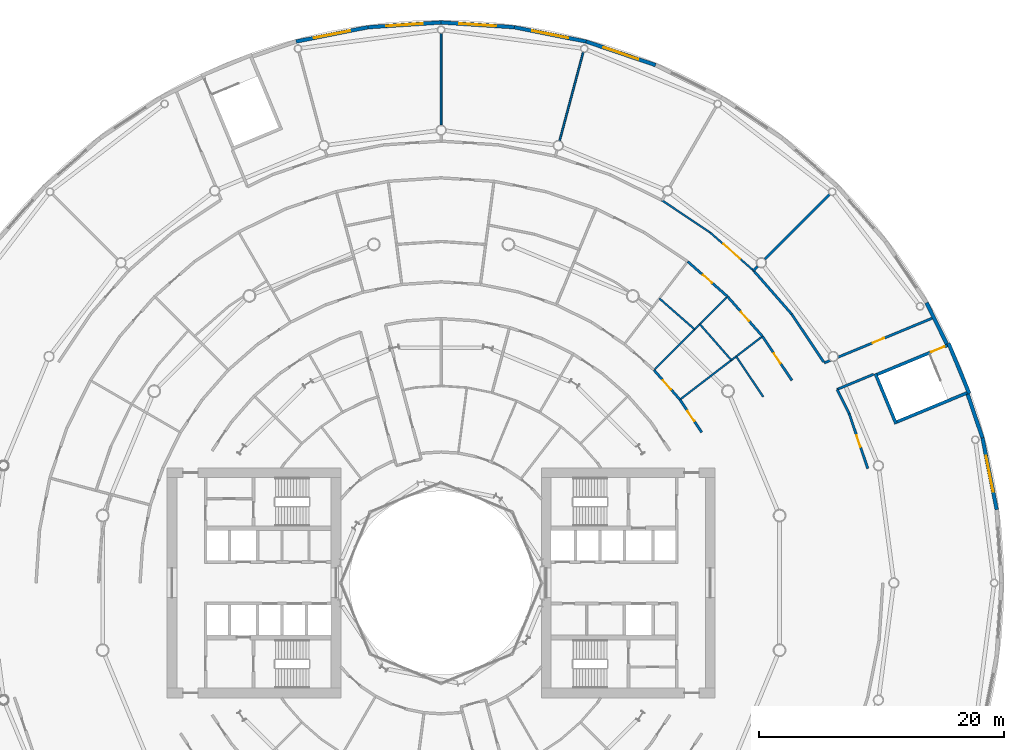
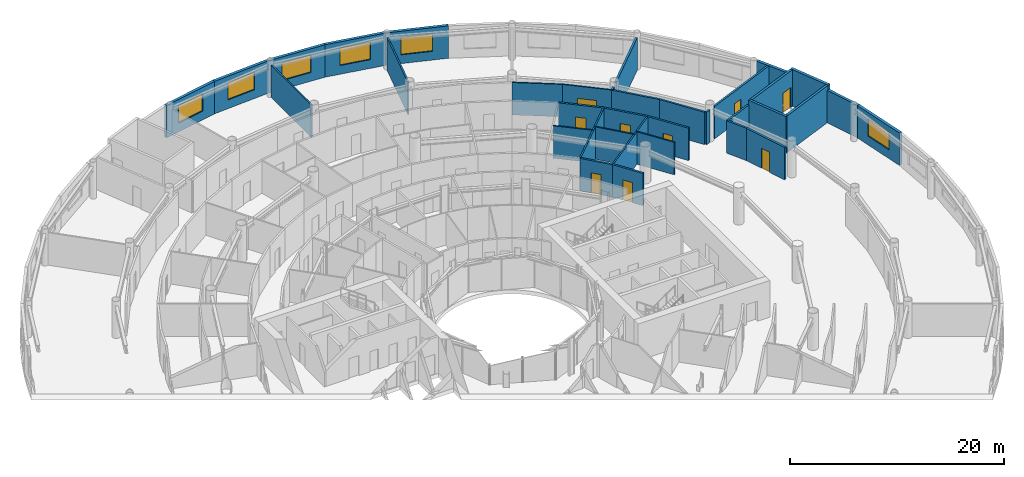
# One storey, part 23 of 29: 35 walls, 9 doors, 6 windows, 15 openings.
"""IFC4 building model written with IfcOpenShell, lengths in metres."""

from ifc_helpers import new_model, si_unit, direction, frame, frame_2d, origin, place, context, subcontext, project, spatial, rectangle, extrude, material, layer, layer_set, type_object, element, fill, save


model = new_model("IFC4")

# Units and contexts
model_context = context("Model", 3, precision=1e-05, world=origin(), true_north=direction((0.0, 1.0)))
body_context = subcontext(model_context, "Body", "Model", "MODEL_VIEW")
ifc_project = project(units=[si_unit("LENGTHUNIT", "METRE"), si_unit("AREAUNIT", "SQUARE_METRE"), si_unit("VOLUMEUNIT", "CUBIC_METRE"), si_unit("PLANEANGLEUNIT", "RADIAN"), si_unit("MASSUNIT", "GRAM", prefix="KILO")], contexts=[model_context])

# Site, building, storey
site_placement = place(None, origin())
site = spatial("IfcSite", under=ifc_project, at=site_placement, CompositionType="ELEMENT")
building_placement = place(site_placement, origin())
building = spatial("IfcBuilding", under=site, at=building_placement, Name="Maasbend Ring Residences", CompositionType="ELEMENT")
storey_placement = place(building_placement, frame((0.0, 0.0, 5.39990234375)))
storey = spatial("IfcBuildingStorey", under=building, at=storey_placement, Name="L01", CompositionType="ELEMENT", Elevation=5.39990234375)

# Wall, opening, door
ifc_material_1 = material(Name="Concrete C70/85", Category="concrete")
ifc_layer_1 = layer(ifc_material_1, 0.25)
ifc_layer_set_1 = layer_set([ifc_layer_1], Name="Concrete C70/85")
wall_type_1 = type_object("IfcWallType", Name="CORE WALL 250 C70/85", PredefinedType="SHEAR", material=ifc_layer_set_1)
wall_1_placement = place(storey_placement, frame((41.37158203125, 19.40966796875, 0.0), z_axis=(0.0, 0.0, 1.0), x_axis=(-0.923886743203, -0.382666023753, 0.0)))
wall_1 = element("IfcWall", 1, at=wall_1_placement, inside=storey, type_object=wall_type_1, Name="L01 ST-P5 enclosure wall WS+", PredefinedType="SHEAR", context=body_context, shape_type="SweptSolid", body=[
    extrude(rectangle(XDim=6.4501953125, YDim=0.25, at=frame_2d((3.22509765625, 0.0))), origin(), (0.0, 0.0, 1.0), 4.2001953125),
])
opening_1_placement = place(wall_1_placement, frame((0.25, 0.0, 0.0)))
opening_1 = element("IfcOpeningElement", 2, at=opening_1_placement, cuts=wall_1, Name="Opening D-P501S", PredefinedType="OPENING", context=body_context, shape_type="SweptSolid", body=[
    extrude(rectangle(XDim=1.199951171875, YDim=2.300048828125, at=frame_2d((0.60009765625, 1.14990234375))), frame((0.0, 0.135009765625, 0.0), z_axis=(0.0, -1.0, 0.0), x_axis=(1.0, 0.0, 0.0)), (0.0, 0.0, 1.0), 0.27001953125),
])
ifc_material_2 = material(Name="Steel, powder coated", Category="steel")
door_type_1 = type_object("IfcDoorType", Name="STAIR DOOR 1200 X 2300 FD60", OperationType="NOTDEFINED", PredefinedType="DOOR", material=ifc_material_2)
door_1_placement = place(opening_1_placement, origin())
door_1 = element("IfcDoor", 3, at=door_1_placement, inside=storey, type_object=door_type_1, Name="Stair door ST-P5 L01", OperationType="SINGLE_SWING_RIGHT", OverallHeight=2.300048828125, OverallWidth=1.199951171875, PredefinedType="DOOR", context=body_context, shape_type="SweptSolid", body=[
    extrude(rectangle(XDim=1.199951171875, YDim=2.300048828125, at=frame_2d((0.60009765625, 1.14990234375))), frame((0.0, 0.02490234375, 0.0), z_axis=(0.0, -1.0, 0.0), x_axis=(1.0, 0.0, 0.0)), (0.0, 0.0, 1.0), 0.050048828125),
])
fill(opening_1, door_1)

# Walls
wall_2_placement = place(storey_placement, frame((37.019775390625, 13.06103515625, 0.0), z_axis=(0.0, 0.0, 1.0), x_axis=(0.923881200375, 0.38267940576, 0.0)))
element("IfcWall", 4, at=wall_2_placement, inside=storey, type_object=wall_type_1, Name="L01 ST-P5 enclosure wall WS-", PredefinedType="SHEAR", context=body_context, shape_type="SweptSolid", body=[
    extrude(rectangle(XDim=6.449951171875, YDim=0.25, at=frame_2d((3.22509765625, 0.0))), origin(), (0.0, 0.0, 1.0), 4.2001953125),
])
wall_3_placement = place(storey_placement, frame((37.18310546875, 12.993408203125, 0.0), z_axis=(0.0, 0.0, 1.0), x_axis=(-0.382713570591, 0.923867048273, 0.0)))
element("IfcWall", 5, at=wall_3_placement, inside=storey, type_object=wall_type_1, Name="L01 ST-P5 enclosure wall WIN", PredefinedType="SHEAR", context=body_context, shape_type="SweptSolid", body=[
    extrude(rectangle(XDim=4.4501953125, YDim=0.25, at=frame_2d((2.22509765625, 0.0))), origin(), (0.0, 0.0, 1.0), 4.2001953125),
])
ifc_material_3 = material(Name="Concrete C70/85", Category="concrete")
ifc_layer_2 = layer(ifc_material_3, 0.300048828125)
ifc_layer_set_2 = layer_set([ifc_layer_2], Name="Concrete C70/85")
wall_type_2 = type_object("IfcWallType", Name="CORE WALL 300 C70/85", PredefinedType="SHEAR", material=ifc_layer_set_2)
wall_4_placement = place(storey_placement, frame((43.1650390625, 15.47119140625, 0.0), z_axis=(0.0, 0.0, 1.0), x_axis=(-0.382666743194, 0.923886445216, 0.0)))
element("IfcWall", 6, at=wall_4_placement, inside=storey, type_object=wall_type_2, Name="L01 ST-P5 enclosure wall WOUT", PredefinedType="SHEAR", context=body_context, shape_type="SweptSolid", body=[
    extrude(rectangle(XDim=4.449951171875, YDim=0.300048828125, at=frame_2d((2.22509765625, 0.0))), origin(), (0.0, 0.0, 1.0), 4.2001953125),
])
ifc_material_4 = material(Name="Concrete C30/37", Category="concrete")
ifc_layer_3 = layer(ifc_material_4, 0.199951171875)
ifc_layer_set_3 = layer_set([ifc_layer_3], Name="Concrete C30/37")
wall_type_3 = type_object("IfcWallType", Name="CORRIDOR WALL 200 CONCRETE", PredefinedType="PARTITIONING", material=ifc_layer_set_3)
wall_5_placement = place(storey_placement, frame((25.527099609375, 25.527099609375, 0.0), z_axis=(0.0, 0.0, 1.0), x_axis=(0.707106781187, 0.707106781187, 0.0)))
element("IfcWall", 7, at=wall_5_placement, inside=storey, type_object=wall_type_3, Name="U-L01-w181", PredefinedType="PARTITIONING", context=body_context, shape_type="SweptSolid", body=[
    extrude(rectangle(XDim=0.493408203125, YDim=0.199951171875, at=frame_2d((0.24658203125, 0.0))), origin(), (0.0, 0.0, 1.0), 3.7001953125),
])
wall_6_placement = place(storey_placement, frame((26.449951171875, 26.449951171875, 0.0), z_axis=(0.0, 0.0, 1.0), x_axis=(0.707106781187, 0.707106781187, 0.0)))
element("IfcWall", 8, at=wall_6_placement, inside=storey, type_object=wall_type_3, Name="U-L01-w182", PredefinedType="PARTITIONING", context=body_context, shape_type="SweptSolid", body=[
    extrude(rectangle(XDim=7.489990234375, YDim=0.199951171875, at=frame_2d((3.7451171875, 0.0))), origin(), (0.0, 0.0, 1.0), 3.7001953125),
])
wall_7_placement = place(storey_placement, frame((32.365966796875, 15.81494140625, 0.0), z_axis=(0.0, 0.0, 1.0), x_axis=(0.923903368196, 0.382625882863, 0.0)))
element("IfcWall", 9, at=wall_7_placement, inside=storey, type_object=wall_type_3, Name="U-L01-w190", PredefinedType="PARTITIONING", context=body_context, shape_type="SweptSolid", body=[
    extrude(rectangle(XDim=3.225341796875, YDim=0.199951171875, at=frame_2d((1.61279296875, 0.0))), origin(), (0.0, 0.0, 1.0), 3.7001953125),
])
wall_8_placement = place(storey_placement, frame((31.302001953125, 17.971923828125, 0.0), z_axis=(0.0, 0.0, 1.0), x_axis=(0.92381964374, 0.382827984663, 0.0)))
element("IfcWall", 10, at=wall_8_placement, inside=storey, type_object=wall_type_3, Name="U-L01-w191", PredefinedType="PARTITIONING", context=body_context, shape_type="SweptSolid", body=[
    extrude(rectangle(XDim=0.54345703125, YDim=0.199951171875, at=frame_2d((0.271728515625, 0.0))), origin(), (0.0, 0.0, 1.0), 3.7001953125),
])

# Wall, opening, door
wall_9_placement = place(storey_placement, frame((32.43798828125, 18.44189453125, 0.0), z_axis=(0.0, 0.0, 1.0), x_axis=(0.923898828098, 0.382636845375, 0.0)))
wall_9 = element("IfcWall", 11, at=wall_9_placement, inside=storey, type_object=wall_type_3, Name="U-L01-w192", PredefinedType="PARTITIONING", context=body_context, shape_type="SweptSolid", body=[
    extrude(rectangle(XDim=8.37109375, YDim=0.199951171875, at=frame_2d((4.185546875, 0.0))), origin(), (0.0, 0.0, 1.0), 3.7001953125),
])
opening_2_placement = place(wall_9_placement, frame((3.071044921875, 0.0, 0.0)))
opening_2 = element("IfcOpeningElement", 12, at=opening_2_placement, cuts=wall_9, Name="Opening D-0171", PredefinedType="OPENING", context=body_context, shape_type="SweptSolid", body=[
    extrude(rectangle(XDim=1.0, YDim=2.300048828125, at=frame_2d((0.5, 1.14990234375))), frame((0.0, 0.10986328125, 0.0), z_axis=(0.0, -1.0, 0.0), x_axis=(1.0, 0.0, 0.0)), (0.0, 0.0, 1.0), 0.219970703125),
])
ifc_material_5 = material(Name="Timber, painted", Category="wood")
door_type_2 = type_object("IfcDoorType", Name="ROOM DOOR 1000 X 2300", OperationType="NOTDEFINED", PredefinedType="DOOR", material=ifc_material_5)
door_2_placement = place(opening_2_placement, origin())
door_2 = element("IfcDoor", 13, at=door_2_placement, inside=storey, type_object=door_type_2, Name="D-0171", OperationType="SINGLE_SWING_LEFT", OverallHeight=2.300048828125, OverallWidth=1.0, PredefinedType="DOOR", context=body_context, shape_type="SweptSolid", body=[
    extrude(rectangle(XDim=1.0, YDim=2.300048828125, at=frame_2d((0.5, 1.14990234375))), frame((0.0, 0.02490234375, 0.0), z_axis=(0.0, -1.0, 0.0), x_axis=(1.0, 0.0, 0.0)), (0.0, 0.0, 1.0), 0.050048828125),
])
fill(opening_2, door_2)

wall_10_placement = place(storey_placement, frame((17.39501953125, 17.39501953125, 0.0), z_axis=(0.0, 0.0, 1.0), x_axis=(0.659299366608, -0.751880539175, 0.0)))
wall_10 = element("IfcWall", 14, at=wall_10_placement, inside=storey, type_object=wall_type_3, Name="U-L01-w258", PredefinedType="PARTITIONING", context=body_context, shape_type="SweptSolid", body=[
    extrude(rectangle(XDim=3.21728515625, YDim=0.199951171875, at=frame_2d((1.608642578125, 0.0))), origin(), (0.0, 0.0, 1.0), 3.7001953125),
])
opening_3_placement = place(wall_10_placement, frame((1.10888671875, 0.0, 0.0)))
opening_3 = element("IfcOpeningElement", 15, at=opening_3_placement, cuts=wall_10, Name="Opening D-0132", PredefinedType="OPENING", context=body_context, shape_type="SweptSolid", body=[
    extrude(rectangle(XDim=1.0, YDim=2.300048828125, at=frame_2d((0.5, 1.14990234375))), frame((0.0, 0.10986328125, 0.0), z_axis=(0.0, -1.0, 0.0), x_axis=(1.0, 0.0, 0.0)), (0.0, 0.0, 1.0), 0.219970703125),
])
door_3_placement = place(opening_3_placement, origin())
door_3 = element("IfcDoor", 16, at=door_3_placement, inside=storey, type_object=door_type_2, Name="D-0132", OperationType="SINGLE_SWING_LEFT", OverallHeight=2.300048828125, OverallWidth=1.0, PredefinedType="DOOR", context=body_context, shape_type="SweptSolid", body=[
    extrude(rectangle(XDim=1.0, YDim=2.300048828125, at=frame_2d((0.5, 1.14990234375))), frame((0.0, 0.02490234375, 0.0), z_axis=(0.0, -1.0, 0.0), x_axis=(1.0, 0.0, 0.0)), (0.0, 0.0, 1.0), 0.050048828125),
])
fill(opening_3, door_3)

wall_11_placement = place(storey_placement, frame((19.51611328125, 14.97607421875, 0.0), z_axis=(0.0, 0.0, 1.0), x_axis=(0.555522714148, -0.831501361433, 0.0)))
wall_11 = element("IfcWall", 17, at=wall_11_placement, inside=storey, type_object=wall_type_3, Name="U-L01-w259", PredefinedType="PARTITIONING", context=body_context, shape_type="SweptSolid", body=[
    extrude(rectangle(XDim=3.21826171875, YDim=0.199951171875, at=frame_2d((1.609130859375, 0.0))), origin(), (0.0, 0.0, 1.0), 3.7001953125),
])
opening_4_placement = place(wall_11_placement, frame((1.10888671875, 0.0, 0.0)))
opening_4 = element("IfcOpeningElement", 18, at=opening_4_placement, cuts=wall_11, Name="Opening D-0130", PredefinedType="OPENING", context=body_context, shape_type="SweptSolid", body=[
    extrude(rectangle(XDim=1.0, YDim=2.300048828125, at=frame_2d((0.5, 1.14990234375))), frame((0.0, 0.10986328125, 0.0), z_axis=(0.0, -1.0, 0.0), x_axis=(1.0, 0.0, 0.0)), (0.0, 0.0, 1.0), 0.219970703125),
])
door_4_placement = place(opening_4_placement, origin())
door_4 = element("IfcDoor", 19, at=door_4_placement, inside=storey, type_object=door_type_2, Name="D-0130", OperationType="SINGLE_SWING_RIGHT", OverallHeight=2.300048828125, OverallWidth=1.0, PredefinedType="DOOR", context=body_context, shape_type="SweptSolid", body=[
    extrude(rectangle(XDim=1.0, YDim=2.300048828125, at=frame_2d((0.5, 1.14990234375))), frame((0.0, 0.02490234375, 0.0), z_axis=(0.0, -1.0, 0.0), x_axis=(1.0, 0.0, 0.0)), (0.0, 0.0, 1.0), 0.050048828125),
])
fill(opening_4, door_4)

wall_12_placement = place(storey_placement, frame((20.14990234375, 26.260009765625, 0.0), z_axis=(0.0, 0.0, 1.0), x_axis=(0.75180422834, -0.659386383125, 0.0)))
wall_12 = element("IfcWall", 20, at=wall_12_placement, inside=storey, type_object=wall_type_3, Name="U-L01-w300", PredefinedType="PARTITIONING", context=body_context, shape_type="SweptSolid", body=[
    extrude(rectangle(XDim=4.329833984375, YDim=0.199951171875, at=frame_2d((2.1650390625, 0.0))), origin(), (0.0, 0.0, 1.0), 3.7001953125),
])
opening_5_placement = place(wall_12_placement, frame((1.6650390625, 0.0, 0.0)))
opening_5 = element("IfcOpeningElement", 21, at=opening_5_placement, cuts=wall_12, Name="Opening D-0135", PredefinedType="OPENING", context=body_context, shape_type="SweptSolid", body=[
    extrude(rectangle(XDim=1.0, YDim=2.300048828125, at=frame_2d((0.5, 1.14990234375))), frame((0.0, 0.10986328125, 0.0), z_axis=(0.0, -1.0, 0.0), x_axis=(1.0, 0.0, 0.0)), (0.0, 0.0, 1.0), 0.219970703125),
])
door_5_placement = place(opening_5_placement, origin())
door_5 = element("IfcDoor", 22, at=door_5_placement, inside=storey, type_object=door_type_2, Name="D-0135", OperationType="SINGLE_SWING_LEFT", OverallHeight=2.300048828125, OverallWidth=1.0, PredefinedType="DOOR", context=body_context, shape_type="SweptSolid", body=[
    extrude(rectangle(XDim=1.0, YDim=2.300048828125, at=frame_2d((0.5, 1.14990234375))), frame((0.0, 0.02490234375, 0.0), z_axis=(0.0, -1.0, 0.0), x_axis=(1.0, 0.0, 0.0)), (0.0, 0.0, 1.0), 0.050048828125),
])
fill(opening_5, door_5)

wall_13_placement = place(storey_placement, frame((23.405029296875, 23.405029296875, 0.0), z_axis=(0.0, 0.0, 1.0), x_axis=(0.659386383125, -0.75180422834, 0.0)))
wall_13 = element("IfcWall", 23, at=wall_13_placement, inside=storey, type_object=wall_type_3, Name="U-L01-w301", PredefinedType="PARTITIONING", context=body_context, shape_type="SweptSolid", body=[
    extrude(rectangle(XDim=4.329833984375, YDim=0.199951171875, at=frame_2d((2.1650390625, 0.0))), origin(), (0.0, 0.0, 1.0), 3.7001953125),
])
opening_6_placement = place(wall_13_placement, frame((1.6650390625, 0.0, 0.0)))
opening_6 = element("IfcOpeningElement", 24, at=opening_6_placement, cuts=wall_13, Name="Opening D-0133", PredefinedType="OPENING", context=body_context, shape_type="SweptSolid", body=[
    extrude(rectangle(XDim=1.0, YDim=2.300048828125, at=frame_2d((0.5, 1.14990234375))), frame((0.0, 0.10986328125, 0.0), z_axis=(0.0, -1.0, 0.0), x_axis=(1.0, 0.0, 0.0)), (0.0, 0.0, 1.0), 0.219970703125),
])
door_6_placement = place(opening_6_placement, origin())
door_6 = element("IfcDoor", 25, at=door_6_placement, inside=storey, type_object=door_type_2, Name="D-0133", OperationType="SINGLE_SWING_LEFT", OverallHeight=2.300048828125, OverallWidth=1.0, PredefinedType="DOOR", context=body_context, shape_type="SweptSolid", body=[
    extrude(rectangle(XDim=1.0, YDim=2.300048828125, at=frame_2d((0.5, 1.14990234375))), frame((0.0, 0.02490234375, 0.0), z_axis=(0.0, -1.0, 0.0), x_axis=(1.0, 0.0, 0.0)), (0.0, 0.0, 1.0), 0.050048828125),
])
fill(opening_6, door_6)

wall_14_placement = place(storey_placement, frame((26.260009765625, 20.14990234375, 0.0), z_axis=(0.0, 0.0, 1.0), x_axis=(0.555519783102, -0.831503319646, 0.0)))
wall_14 = element("IfcWall", 26, at=wall_14_placement, inside=storey, type_object=wall_type_3, Name="U-L01-w302", PredefinedType="PARTITIONING", context=body_context, shape_type="SweptSolid", body=[
    extrude(rectangle(XDim=4.329345703125, YDim=0.199951171875, at=frame_2d((2.16455078125, 0.0))), origin(), (0.0, 0.0, 1.0), 3.7001953125),
])
opening_7_placement = place(wall_14_placement, frame((1.6650390625, 0.0, 0.0)))
opening_7 = element("IfcOpeningElement", 27, at=opening_7_placement, cuts=wall_14, Name="Opening D-0131", PredefinedType="OPENING", context=body_context, shape_type="SweptSolid", body=[
    extrude(rectangle(XDim=1.0, YDim=2.300048828125, at=frame_2d((0.5, 1.14990234375))), frame((0.0, 0.10986328125, 0.0), z_axis=(0.0, -1.0, 0.0), x_axis=(1.0, 0.0, 0.0)), (0.0, 0.0, 1.0), 0.219970703125),
])
door_7_placement = place(opening_7_placement, origin())
door_7 = element("IfcDoor", 28, at=door_7_placement, inside=storey, type_object=door_type_2, Name="D-0131", OperationType="SINGLE_SWING_RIGHT", OverallHeight=2.300048828125, OverallWidth=1.0, PredefinedType="DOOR", context=body_context, shape_type="SweptSolid", body=[
    extrude(rectangle(XDim=1.0, YDim=2.300048828125, at=frame_2d((0.5, 1.14990234375))), frame((0.0, 0.02490234375, 0.0), z_axis=(0.0, -1.0, 0.0), x_axis=(1.0, 0.0, 0.0)), (0.0, 0.0, 1.0), 0.050048828125),
])
fill(opening_7, door_7)

# Walls
for number, where, z_axis, x_axis, name in (
    (29, (25.527099609375, 25.527099609375, 0.0), (0.0, 0.0, 1.0), (0.659181480716, -0.751983893099, 0.0), "U-L01-w317"),
    (30, (28.639892578125, 21.97607421875, 0.0), (0.0, 0.0, 1.0), (0.555678147384, -0.831397496099, 0.0), "U-L01-w318"),
):
    element("IfcWall", number, at=place(storey_placement, frame(where, z_axis=z_axis, x_axis=x_axis)), inside=storey, type_object=wall_type_3, Name=name, PredefinedType="PARTITIONING", context=body_context, shape_type="SweptSolid", body=[
        extrude(rectangle(XDim=4.72216796875, YDim=0.199951171875, at=frame_2d((2.361083984375, 0.0))), origin(), (0.0, 0.0, 1.0), 3.7001953125),
    ])
wall_15_placement = place(storey_placement, frame((32.365966796875, 15.81494140625, 0.0), z_axis=(0.0, 0.0, 1.0), x_axis=(0.442214065645, -0.896909538441, 0.0)))
element("IfcWall", 31, at=wall_15_placement, inside=storey, type_object=wall_type_3, Name="U-L01-w319", PredefinedType="PARTITIONING", context=body_context, shape_type="SweptSolid", body=[
    extrude(rectangle(XDim=2.22998046875, YDim=0.199951171875, at=frame_2d((1.114990234375, 0.0))), origin(), (0.0, 0.0, 1.0), 3.7001953125),
])

# Wall, opening, door
wall_16_placement = place(storey_placement, frame((33.35205078125, 13.81494140625, 0.0), z_axis=(0.0, 0.0, 1.0), x_axis=(0.321449493775, -0.946926725229, 0.0)))
wall_16 = element("IfcWall", 32, at=wall_16_placement, inside=storey, type_object=wall_type_3, Name="U-L01-w320", PredefinedType="PARTITIONING", context=body_context, shape_type="SweptSolid", body=[
    extrude(rectangle(XDim=4.72265625, YDim=0.199951171875, at=frame_2d((2.361328125, 0.0))), origin(), (0.0, 0.0, 1.0), 3.7001953125),
])
opening_8_placement = place(wall_16_placement, frame((1.861083984375, 0.0, 0.0)))
opening_8 = element("IfcOpeningElement", 33, at=opening_8_placement, cuts=wall_16, Name="Opening D-0170", PredefinedType="OPENING", context=body_context, shape_type="SweptSolid", body=[
    extrude(rectangle(XDim=1.0, YDim=2.300048828125, at=frame_2d((0.5, 1.14990234375))), frame((0.0, 0.10986328125, 0.0), z_axis=(0.0, -1.0, 0.0), x_axis=(1.0, 0.0, 0.0)), (0.0, 0.0, 1.0), 0.219970703125),
])
door_8_placement = place(opening_8_placement, origin())
door_8 = element("IfcDoor", 34, at=door_8_placement, inside=storey, type_object=door_type_2, Name="D-0170", OperationType="SINGLE_SWING_RIGHT", OverallHeight=2.300048828125, OverallWidth=1.0, PredefinedType="DOOR", context=body_context, shape_type="SweptSolid", body=[
    extrude(rectangle(XDim=1.0, YDim=2.300048828125, at=frame_2d((0.5, 1.14990234375))), frame((0.0, 0.02490234375, 0.0), z_axis=(0.0, -1.0, 0.0), x_axis=(1.0, 0.0, 0.0)), (0.0, 0.0, 1.0), 0.050048828125),
])
fill(opening_8, door_8)

# Wall, opening, window
ifc_material_6 = material(Name="Pale anodised aluminium panel", Category="aluminium")
ifc_layer_4 = layer(ifc_material_6, 0.300048828125)
ifc_layer_set_4 = layer_set([ifc_layer_4], Name="EW-BASE")
wall_type_4 = type_object("IfcWallType", Name="EW-BASE", PredefinedType="SOLIDWALL", material=ifc_layer_set_4)
wall_17_placement = place(storey_placement, frame((45.407958984375, 5.97802734375, 0.0), z_axis=(0.0, 0.0, 1.0), x_axis=(-0.195112945602, 0.980780780021, 0.0)))
wall_17 = element("IfcWall", 35, at=wall_17_placement, inside=storey, type_object=wall_type_4, Name="Base block wall 02", PredefinedType="SOLIDWALL", context=body_context, shape_type="SweptSolid", body=[
    extrude(rectangle(XDim=5.9912109375, YDim=0.300048828125, at=frame_2d((2.99560546875, 0.0))), origin(), (0.0, 0.0, 1.0), 3.7001953125),
])
opening_9_placement = place(wall_17_placement, frame((1.495361328125, 0.0, 1.0)))
opening_9 = element("IfcOpeningElement", 36, at=opening_9_placement, cuts=wall_17, Name="Opening W-PB", PredefinedType="OPENING", context=body_context, shape_type="SweptSolid", body=[
    extrude(rectangle(XDim=3.0, YDim=2.0, at=frame_2d((1.5, 1.0))), frame((0.0, 0.16015625, 0.0), z_axis=(0.0, -1.0, 0.0), x_axis=(1.0, 0.0, 0.0)), (0.0, 0.0, 1.0), 0.320068359375),
])
ifc_material_7 = material(Name="Aluminium and clear glass", Category="aluminium")
window_type = type_object("IfcWindowType", Name="W-PB", PartitioningType="SINGLE_PANEL", PredefinedType="WINDOW", material=ifc_material_7)
window_1_placement = place(opening_9_placement, origin())
window_1 = element("IfcWindow", 37, at=window_1_placement, inside=storey, type_object=window_type, Name="Base block window 02", OverallHeight=2.0, OverallWidth=3.0, PartitioningType="SINGLE_PANEL", PredefinedType="WINDOW", context=body_context, shape_type="SweptSolid", body=[
    extrude(rectangle(XDim=3.0, YDim=2.0, at=frame_2d((1.5, 1.0))), frame((0.0, 0.030029296875, 0.0), z_axis=(0.0, -1.0, 0.0), x_axis=(1.0, 0.0, 0.0)), (0.0, 0.0, 1.0), 0.06005859375),
])
fill(opening_9, window_1)

# Walls
wall_18_placement = place(storey_placement, frame((44.239013671875, 11.85400390625, 0.0), z_axis=(0.0, 0.0, 1.0), x_axis=(-0.321481387979, 0.946915897629, 0.0)))
element("IfcWall", 38, at=wall_18_placement, inside=storey, type_object=wall_type_4, Name="Base block wall 03a", PredefinedType="SOLIDWALL", context=body_context, shape_type="SweptSolid", body=[
    extrude(rectangle(XDim=3.7607421875, YDim=0.300048828125, at=frame_2d((1.88037109375, 0.0))), origin(), (0.0, 0.0, 1.0), 3.7001953125),
])
wall_19_placement = place(storey_placement, frame((41.326904296875, 19.527099609375, 0.0), z_axis=(0.0, 0.0, 1.0), x_axis=(-0.44219447383, 0.896919197762, 0.0)))
element("IfcWall", 39, at=wall_19_placement, inside=storey, type_object=wall_type_4, Name="Base block wall 04a", PredefinedType="SOLIDWALL", context=body_context, shape_type="SweptSolid", body=[
    extrude(rectangle(XDim=3.760498046875, YDim=0.300048828125, at=frame_2d((1.88037109375, 0.0))), origin(), (0.0, 0.0, 1.0), 3.7001953125),
])

# Wall, opening, window
wall_20_placement = place(storey_placement, frame((17.527099609375, 42.31396484375, 0.0), z_axis=(0.0, 0.0, 1.0), x_axis=(-0.946966078776, 0.321333542675, 0.0)))
wall_20 = element("IfcWall", 40, at=wall_20_placement, inside=storey, type_object=wall_type_4, Name="Base block wall 10", PredefinedType="SOLIDWALL", context=body_context, shape_type="SweptSolid", body=[
    extrude(rectangle(XDim=5.99072265625, YDim=0.300048828125, at=frame_2d((2.995361328125, 0.0))), origin(), (0.0, 0.0, 1.0), 3.7001953125),
])
opening_10_placement = place(wall_20_placement, frame((1.495361328125, 0.0, 1.0)))
opening_10 = element("IfcOpeningElement", 41, at=opening_10_placement, cuts=wall_20, Name="Opening W-PB", PredefinedType="OPENING", context=body_context, shape_type="SweptSolid", body=[
    extrude(rectangle(XDim=3.0, YDim=2.0, at=frame_2d((1.5, 1.0))), frame((0.0, 0.16015625, 0.0), z_axis=(0.0, -1.0, 0.0), x_axis=(1.0, 0.0, 0.0)), (0.0, 0.0, 1.0), 0.320068359375),
])
window_2_placement = place(opening_10_placement, origin())
window_2 = element("IfcWindow", 42, at=window_2_placement, inside=storey, type_object=window_type, Name="Base block window 10", OverallHeight=2.0, OverallWidth=3.0, PartitioningType="SINGLE_PANEL", PredefinedType="WINDOW", context=body_context, shape_type="SweptSolid", body=[
    extrude(rectangle(XDim=3.0, YDim=2.0, at=frame_2d((1.5, 1.0))), frame((0.0, 0.030029296875, 0.0), z_axis=(0.0, -1.0, 0.0), x_axis=(1.0, 0.0, 0.0)), (0.0, 0.0, 1.0), 0.06005859375),
])
fill(opening_10, window_2)

wall_21_placement = place(storey_placement, frame((11.85400390625, 44.239013671875, 0.0), z_axis=(0.0, 0.0, 1.0), x_axis=(-0.980780780021, 0.195112945602, 0.0)))
wall_21 = element("IfcWall", 43, at=wall_21_placement, inside=storey, type_object=wall_type_4, Name="Base block wall 11", PredefinedType="SOLIDWALL", context=body_context, shape_type="SweptSolid", body=[
    extrude(rectangle(XDim=5.9912109375, YDim=0.300048828125, at=frame_2d((2.99560546875, 0.0))), origin(), (0.0, 0.0, 1.0), 3.7001953125),
])
opening_11_placement = place(wall_21_placement, frame((1.495361328125, 0.0, 1.0)))
opening_11 = element("IfcOpeningElement", 44, at=opening_11_placement, cuts=wall_21, Name="Opening W-PB", PredefinedType="OPENING", context=body_context, shape_type="SweptSolid", body=[
    extrude(rectangle(XDim=3.0, YDim=2.0, at=frame_2d((1.5, 1.0))), frame((0.0, 0.16015625, 0.0), z_axis=(0.0, -1.0, 0.0), x_axis=(1.0, 0.0, 0.0)), (0.0, 0.0, 1.0), 0.320068359375),
])
window_3_placement = place(opening_11_placement, origin())
window_3 = element("IfcWindow", 45, at=window_3_placement, inside=storey, type_object=window_type, Name="Base block window 11", OverallHeight=2.0, OverallWidth=3.0, PartitioningType="SINGLE_PANEL", PredefinedType="WINDOW", context=body_context, shape_type="SweptSolid", body=[
    extrude(rectangle(XDim=3.0, YDim=2.0, at=frame_2d((1.5, 1.0))), frame((0.0, 0.030029296875, 0.0), z_axis=(0.0, -1.0, 0.0), x_axis=(1.0, 0.0, 0.0)), (0.0, 0.0, 1.0), 0.06005859375),
])
fill(opening_11, window_3)

wall_22_placement = place(storey_placement, frame((5.97802734375, 45.407958984375, 0.0), z_axis=(0.0, 0.0, 1.0), x_axis=(-0.9978559893, 0.065447877106, 0.0)))
wall_22 = element("IfcWall", 46, at=wall_22_placement, inside=storey, type_object=wall_type_4, Name="Base block wall 12", PredefinedType="SOLIDWALL", context=body_context, shape_type="SweptSolid", body=[
    extrude(rectangle(XDim=5.990966796875, YDim=0.300048828125, at=frame_2d((2.99560546875, 0.0))), origin(), (0.0, 0.0, 1.0), 3.7001953125),
])
opening_12_placement = place(wall_22_placement, frame((1.495361328125, 0.0, 1.0)))
opening_12 = element("IfcOpeningElement", 47, at=opening_12_placement, cuts=wall_22, Name="Opening W-PB", PredefinedType="OPENING", context=body_context, shape_type="SweptSolid", body=[
    extrude(rectangle(XDim=3.0, YDim=2.0, at=frame_2d((1.5, 1.0))), frame((0.0, 0.16015625, 0.0), z_axis=(0.0, -1.0, 0.0), x_axis=(1.0, 0.0, 0.0)), (0.0, 0.0, 1.0), 0.320068359375),
])
window_4_placement = place(opening_12_placement, origin())
window_4 = element("IfcWindow", 48, at=window_4_placement, inside=storey, type_object=window_type, Name="Base block window 12", OverallHeight=2.0, OverallWidth=3.0, PartitioningType="SINGLE_PANEL", PredefinedType="WINDOW", context=body_context, shape_type="SweptSolid", body=[
    extrude(rectangle(XDim=3.0, YDim=2.0, at=frame_2d((1.5, 1.0))), frame((0.0, 0.030029296875, 0.0), z_axis=(0.0, -1.0, 0.0), x_axis=(1.0, 0.0, 0.0)), (0.0, 0.0, 1.0), 0.06005859375),
])
fill(opening_12, window_4)

wall_23_placement = place(storey_placement, frame((0.0, 45.800048828125, 0.0), z_axis=(0.0, 0.0, 1.0), x_axis=(-0.9978559893, -0.065447877106, 0.0)))
wall_23 = element("IfcWall", 49, at=wall_23_placement, inside=storey, type_object=wall_type_4, Name="Base block wall 13", PredefinedType="SOLIDWALL", context=body_context, shape_type="SweptSolid", body=[
    extrude(rectangle(XDim=5.990966796875, YDim=0.300048828125, at=frame_2d((2.99560546875, 0.0))), origin(), (0.0, 0.0, 1.0), 3.7001953125),
])
opening_13_placement = place(wall_23_placement, frame((1.495361328125, 0.0, 1.0)))
opening_13 = element("IfcOpeningElement", 50, at=opening_13_placement, cuts=wall_23, Name="Opening W-PB", PredefinedType="OPENING", context=body_context, shape_type="SweptSolid", body=[
    extrude(rectangle(XDim=3.0, YDim=2.0, at=frame_2d((1.5, 1.0))), frame((0.0, 0.16015625, 0.0), z_axis=(0.0, -1.0, 0.0), x_axis=(1.0, 0.0, 0.0)), (0.0, 0.0, 1.0), 0.320068359375),
])
window_5_placement = place(opening_13_placement, origin())
window_5 = element("IfcWindow", 51, at=window_5_placement, inside=storey, type_object=window_type, Name="Base block window 13", OverallHeight=2.0, OverallWidth=3.0, PartitioningType="SINGLE_PANEL", PredefinedType="WINDOW", context=body_context, shape_type="SweptSolid", body=[
    extrude(rectangle(XDim=3.0, YDim=2.0, at=frame_2d((1.5, 1.0))), frame((0.0, 0.030029296875, 0.0), z_axis=(0.0, -1.0, 0.0), x_axis=(1.0, 0.0, 0.0)), (0.0, 0.0, 1.0), 0.06005859375),
])
fill(opening_13, window_5)

wall_24_placement = place(storey_placement, frame((-5.97802734375, 45.407958984375, 0.0), z_axis=(0.0, 0.0, 1.0), x_axis=(-0.980780780021, -0.195112945602, 0.0)))
wall_24 = element("IfcWall", 52, at=wall_24_placement, inside=storey, type_object=wall_type_4, Name="Base block wall 14", PredefinedType="SOLIDWALL", context=body_context, shape_type="SweptSolid", body=[
    extrude(rectangle(XDim=5.9912109375, YDim=0.300048828125, at=frame_2d((2.99560546875, 0.0))), origin(), (0.0, 0.0, 1.0), 3.7001953125),
])
opening_14_placement = place(wall_24_placement, frame((1.495361328125, 0.0, 1.0)))
opening_14 = element("IfcOpeningElement", 53, at=opening_14_placement, cuts=wall_24, Name="Opening W-PB", PredefinedType="OPENING", context=body_context, shape_type="SweptSolid", body=[
    extrude(rectangle(XDim=3.0, YDim=2.0, at=frame_2d((1.5, 1.0))), frame((0.0, 0.16015625, 0.0), z_axis=(0.0, -1.0, 0.0), x_axis=(1.0, 0.0, 0.0)), (0.0, 0.0, 1.0), 0.320068359375),
])
window_6_placement = place(opening_14_placement, origin())
window_6 = element("IfcWindow", 54, at=window_6_placement, inside=storey, type_object=window_type, Name="Base block window 14", OverallHeight=2.0, OverallWidth=3.0, PartitioningType="SINGLE_PANEL", PredefinedType="WINDOW", context=body_context, shape_type="SweptSolid", body=[
    extrude(rectangle(XDim=3.0, YDim=2.0, at=frame_2d((1.5, 1.0))), frame((0.0, 0.030029296875, 0.0), z_axis=(0.0, -1.0, 0.0), x_axis=(1.0, 0.0, 0.0)), (0.0, 0.0, 1.0), 0.06005859375),
])
fill(opening_14, window_6)

# Walls
ifc_material_8 = material(Name="Gypsum board on steel studs", Category="steel")
ifc_layer_5 = layer(ifc_material_8, 0.14990234375)
ifc_layer_set_5 = layer_set([ifc_layer_5], Name="PARTITION 150 GYPSUM")
wall_type_5 = type_object("IfcWallType", Name="PARTITION 150 GYPSUM", PredefinedType="PARTITIONING", material=ifc_layer_set_5)
wall_25_placement = place(storey_placement, frame((0.0, 37.406982421875, 0.0), z_axis=(0.0, 0.0, 1.0), x_axis=(0.0, 1.0, 0.0)))
element("IfcWall", 55, at=wall_25_placement, inside=storey, type_object=wall_type_5, Name="U-L01-w162", PredefinedType="PARTITIONING", context=body_context, shape_type="SweptSolid", body=[
    extrude(rectangle(XDim=7.488037109375, YDim=0.14990234375, at=frame_2d((3.744140625, 0.0))), origin(), (0.0, 0.0, 1.0), 3.7001953125),
])
wall_26_placement = place(storey_placement, frame((9.677978515625, 36.1259765625, 0.0), z_axis=(0.0, 0.0, 1.0), x_axis=(0.258647138934, 0.965971872013, 0.0)))
element("IfcWall", 56, at=wall_26_placement, inside=storey, type_object=wall_type_5, Name="U-L01-w171", PredefinedType="PARTITIONING", context=body_context, shape_type="SweptSolid", body=[
    extrude(rectangle(XDim=7.500244140625, YDim=0.14990234375, at=frame_2d((3.75, 0.0))), origin(), (0.0, 0.0, 1.0), 3.7001953125),
])
wall_27_placement = place(storey_placement, frame((17.39501953125, 17.39501953125, 0.0), z_axis=(0.0, 0.0, 1.0), x_axis=(0.707106781187, 0.707106781187, 0.0)))
element("IfcWall", 57, at=wall_27_placement, inside=storey, type_object=wall_type_5, Name="U-L01-w177", PredefinedType="PARTITIONING", context=body_context, shape_type="SweptSolid", body=[
    extrude(rectangle(XDim=8.49951171875, YDim=0.14990234375, at=frame_2d((4.249755859375, 0.0))), origin(), (0.0, 0.0, 1.0), 3.7001953125),
])
wall_28_placement = place(storey_placement, frame((19.51708984375, 14.97509765625, 0.0), z_axis=(0.0, 0.0, 1.0), x_axis=(0.793309003466, 0.608819205528, 0.0)))
element("IfcWall", 58, at=wall_28_placement, inside=storey, type_object=wall_type_5, Name="U-L01-w180", PredefinedType="PARTITIONING", context=body_context, shape_type="SweptSolid", body=[
    extrude(rectangle(XDim=8.499755859375, YDim=0.14990234375, at=frame_2d((4.25, 0.0))), origin(), (0.0, 0.0, 1.0), 3.7001953125),
])
wall_29_placement = place(storey_placement, frame((17.8369140625, 23.2451171875, 0.0), z_axis=(0.0, 0.0, 1.0), x_axis=(0.751782936662, -0.659410658197, 0.0)))
element("IfcWall", 59, at=wall_29_placement, inside=storey, type_object=wall_type_5, Name="U-L01-w277", PredefinedType="PARTITIONING", context=body_context, shape_type="SweptSolid", body=[
    extrude(rectangle(XDim=3.832275390625, YDim=0.14990234375, at=frame_2d((1.916015625, 0.0))), origin(), (0.0, 0.0, 1.0), 3.7001953125),
])
wall_30_placement = place(storey_placement, frame((21.14208984375, 21.14208984375, 0.0), z_axis=(0.0, 0.0, 1.0), x_axis=(0.659401300363, -0.751791144587, 0.0)))
element("IfcWall", 60, at=wall_30_placement, inside=storey, type_object=wall_type_5, Name="U-L01-w280", PredefinedType="PARTITIONING", context=body_context, shape_type="SweptSolid", body=[
    extrude(rectangle(XDim=3.910888671875, YDim=0.14990234375, at=frame_2d((1.95556640625, 0.0))), origin(), (0.0, 0.0, 1.0), 3.7001953125),
])
wall_31_placement = place(storey_placement, frame((24.117919921875, 18.506103515625, 0.0), z_axis=(0.0, 0.0, 1.0), x_axis=(0.555550064902, -0.831483087854, 0.0)))
element("IfcWall", 61, at=wall_31_placement, inside=storey, type_object=wall_type_5, Name="U-L01-w282", PredefinedType="PARTITIONING", context=body_context, shape_type="SweptSolid", body=[
    extrude(rectangle(XDim=3.976318359375, YDim=0.14990234375, at=frame_2d((1.98828125, 0.0))), origin(), (0.0, 0.0, 1.0), 3.7001953125),
])
wall_32_placement = place(storey_placement, frame((18.050048828125, 31.263916015625, 0.0), z_axis=(0.0, 0.0, 1.0), x_axis=(0.831397496099, -0.555678147384, 0.0)))
element("IfcWall", 62, at=wall_32_placement, inside=storey, type_object=wall_type_5, Name="U-L01-w315", PredefinedType="PARTITIONING", context=body_context, shape_type="SweptSolid", body=[
    extrude(rectangle(XDim=4.72216796875, YDim=0.14990234375, at=frame_2d((2.361083984375, 0.0))), origin(), (0.0, 0.0, 1.0), 3.7001953125),
])

# Wall, opening, door
wall_33_placement = place(storey_placement, frame((21.97607421875, 28.639892578125, 0.0), z_axis=(0.0, 0.0, 1.0), x_axis=(0.751983893099, -0.659181480716, 0.0)))
wall_33 = element("IfcWall", 63, at=wall_33_placement, inside=storey, type_object=wall_type_5, Name="U-L01-w316", PredefinedType="PARTITIONING", context=body_context, shape_type="SweptSolid", body=[
    extrude(rectangle(XDim=4.72216796875, YDim=0.14990234375, at=frame_2d((2.361083984375, 0.0))), origin(), (0.0, 0.0, 1.0), 3.7001953125),
])
opening_15_placement = place(wall_33_placement, frame((1.4609375, 0.0, 0.0)))
opening_15 = element("IfcOpeningElement", 64, at=opening_15_placement, cuts=wall_33, Name="Opening D-0172", PredefinedType="OPENING", context=body_context, shape_type="SweptSolid", body=[
    extrude(rectangle(XDim=1.800048828125, YDim=2.300048828125, at=frame_2d((0.89990234375, 1.14990234375))), frame((0.0, 0.0849609375, 0.0), z_axis=(0.0, -1.0, 0.0), x_axis=(1.0, 0.0, 0.0)), (0.0, 0.0, 1.0), 0.169921875),
])
ifc_material_9 = material(Name="Timber, painted", Category="wood")
door_type_3 = type_object("IfcDoorType", Name="DOUBLE DOOR 1800 X 2300", OperationType="NOTDEFINED", PredefinedType="DOOR", material=ifc_material_9)
door_9_placement = place(opening_15_placement, origin())
door_9 = element("IfcDoor", 65, at=door_9_placement, inside=storey, type_object=door_type_3, Name="D-0172", OperationType="DOUBLE_DOOR_SINGLE_SWING", OverallHeight=2.300048828125, OverallWidth=1.800048828125, PredefinedType="DOOR", context=body_context, shape_type="SweptSolid", body=[
    extrude(rectangle(XDim=1.800048828125, YDim=2.300048828125, at=frame_2d((0.89990234375, 1.14990234375))), frame((0.0, 0.02490234375, 0.0), z_axis=(0.0, -1.0, 0.0), x_axis=(1.0, 0.0, 0.0)), (0.0, 0.0, 1.0), 0.050048828125),
])
fill(opening_15, door_9)

save(model, "model.ifc")
